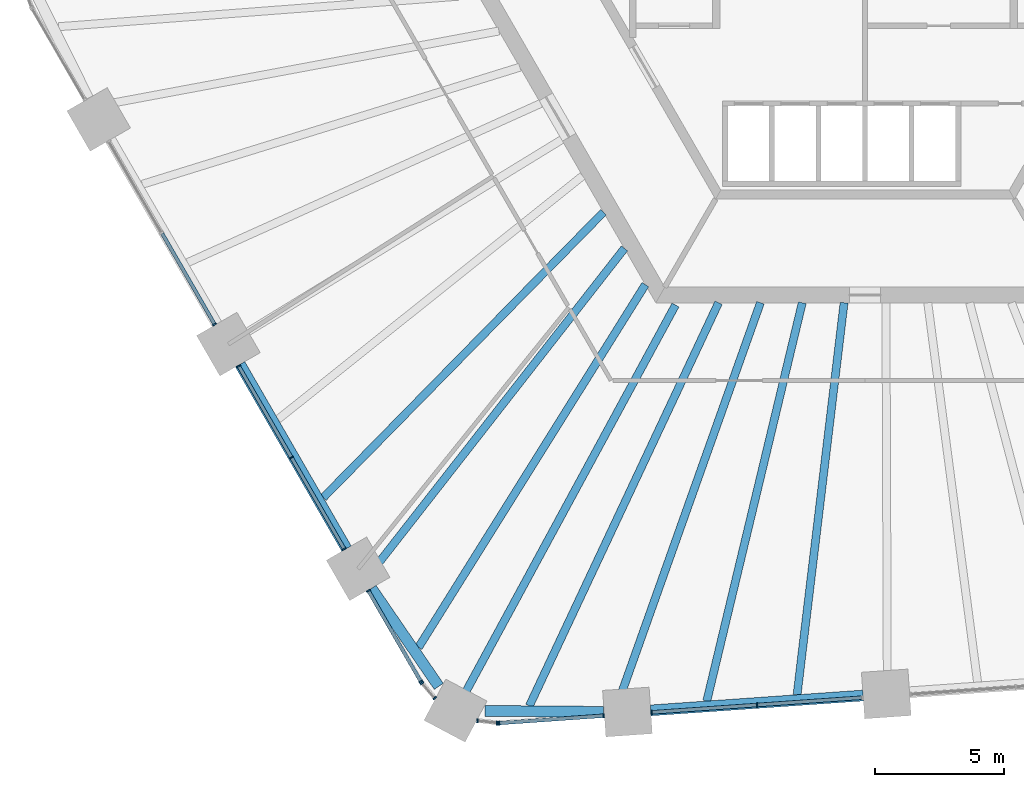
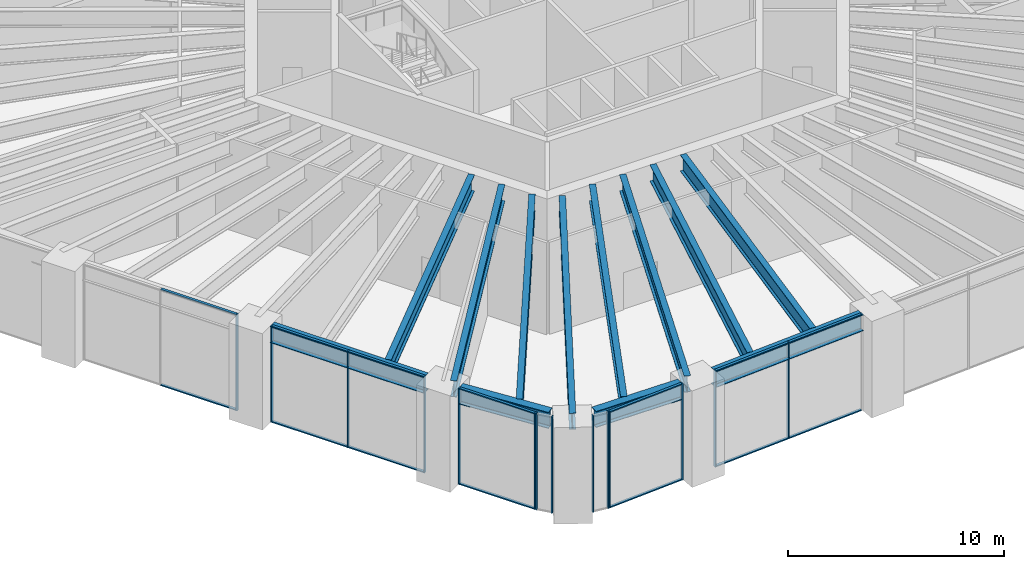
# One storey, part 2 of 25: 28 members, 12 beams, 7 elements without a shape of their own.
"""IFC4 building model written with IfcOpenShell, lengths in metres."""

from ifc_helpers import new_model, si_unit, direction, frame, origin, origin_2d, place, context, subcontext, project, spatial, rectangle, i_section, extrude, material, material_profile, profile_set, type_object, element, aggregate, save


model = new_model("IFC4")

# Units and contexts
model_context = context("Model", 3, precision=1e-05, world=origin(), true_north=direction((0.0, 1.0)))
body_context = subcontext(model_context, "Body", "Model", "MODEL_VIEW")
ifc_project = project(units=[si_unit("LENGTHUNIT", "METRE"), si_unit("AREAUNIT", "SQUARE_METRE"), si_unit("VOLUMEUNIT", "CUBIC_METRE"), si_unit("PLANEANGLEUNIT", "RADIAN"), si_unit("MASSUNIT", "GRAM", prefix="KILO")], contexts=[model_context])

# Site, building, storey
site_placement = place(None, origin())
site = spatial("IfcSite", under=ifc_project, at=site_placement, CompositionType="ELEMENT")
building_placement = place(site_placement, origin())
building = spatial("IfcBuilding", under=site, at=building_placement, Name="Tarnside Tower", CompositionType="ELEMENT")
storey_placement = place(building_placement, frame((0.0, 0.0, 26.0)))
storey = spatial("IfcBuildingStorey", under=building, at=storey_placement, Name="L04", CompositionType="ELEMENT", Elevation=26.0)

# Beams
ifc_material_1 = material(Name="Steel S355", Category="steel")
ifc_material_profile_1 = material_profile(ifc_material_1, i_section(OverallWidth=0.3076171875, OverallDepth=0.926513671875, WebThickness=0.01953125, FlangeThickness=0.031982421875, FilletRadius=0.01904296875, at=origin_2d()), Name="UB 914x305x289")
ifc_profile_set_1 = profile_set([ifc_material_profile_1], Name="Steel S355")
beam_type_1 = type_object("IfcBeamType", Name="Floor beam UB 914x305x289", PredefinedType="BEAM", material=ifc_profile_set_1)
beam_1_placement = place(storey_placement, frame((-20.9296875, -21.528076171875, 4.73681640625), z_axis=(0.700544155211, 0.713609057258, 0.0), x_axis=(-0.713609057258, 0.700544155211, 0.0)))
element("IfcBeam", 1, at=beam_1_placement, inside=storey, type_object=beam_type_1, Name="Floor beam F3.07", PredefinedType="BEAM", context=body_context, shape_type="SweptSolid", body=[
    extrude(i_section(OverallWidth=0.3076171875, OverallDepth=0.926513671875, WebThickness=0.01953125, FlangeThickness=0.031982421875, FilletRadius=0.01904296875, at=origin_2d()), origin(), (0.0, 0.0, 1.0), 15.453857421875),
])
beam_2_placement = place(storey_placement, frame((-19.159912109375, -24.52587890625, 4.73681640625), z_axis=(0.615661783207, 0.788010513063, 0.0), x_axis=(-0.788010513063, 0.615661783207, 0.0)))
element("IfcBeam", 2, at=beam_2_placement, inside=storey, type_object=beam_type_1, Name="Floor beam F3.08", PredefinedType="BEAM", context=body_context, shape_type="SweptSolid", body=[
    extrude(i_section(OverallWidth=0.3076171875, OverallDepth=0.926513671875, WebThickness=0.01953125, FlangeThickness=0.031982421875, FilletRadius=0.01904296875, at=origin_2d()), origin(), (0.0, 0.0, 1.0), 16.022705078125),
])
beam_3_placement = place(storey_placement, frame((-17.248779296875, -27.31103515625, 4.73681640625), z_axis=(0.530210075877, 0.847866307526, 0.0), x_axis=(-0.847866307526, 0.530210075877, 0.0)))
element("IfcBeam", 3, at=beam_3_placement, inside=storey, type_object=beam_type_1, Name="Floor beam F3.09", PredefinedType="BEAM", context=body_context, shape_type="SweptSolid", body=[
    extrude(i_section(OverallWidth=0.3076171875, OverallDepth=0.926513671875, WebThickness=0.01953125, FlangeThickness=0.031982421875, FilletRadius=0.01904296875, at=origin_2d()), origin(), (0.0, 0.0, 1.0), 16.52490234375),
])
beam_4_placement = place(storey_placement, frame((-15.70458984375, -29.550537109375, 4.73681640625), z_axis=(0.476578695918, 0.879131814119, 0.0), x_axis=(-0.879131814119, 0.476578695918, 0.0)))
element("IfcBeam", 4, at=beam_4_placement, inside=storey, type_object=beam_type_1, Name="Floor beam C3", PredefinedType="BEAM", context=body_context, shape_type="SweptSolid", body=[
    extrude(i_section(OverallWidth=0.3076171875, OverallDepth=0.926513671875, WebThickness=0.01953125, FlangeThickness=0.031982421875, FilletRadius=0.01904296875, at=origin_2d()), origin(), (0.0, 0.0, 1.0), 17.588623046875),
])
beam_5_placement = place(storey_placement, frame((-12.9677734375, -29.572265625, 4.73681640625), z_axis=(0.424925412272, 0.905228365665, 0.0), x_axis=(-0.905228365665, 0.424925412272, 0.0)))
element("IfcBeam", 5, at=beam_5_placement, inside=storey, type_object=beam_type_1, Name="Floor beam F4.01", PredefinedType="BEAM", context=body_context, shape_type="SweptSolid", body=[
    extrude(i_section(OverallWidth=0.3076171875, OverallDepth=0.926513671875, WebThickness=0.01953125, FlangeThickness=0.031982421875, FilletRadius=0.01904296875, at=origin_2d()), origin(), (0.0, 0.0, 1.0), 17.20263671875),
])
beam_6_placement = place(storey_placement, frame((-9.59130859375, -29.599365234375, 4.73681640625), z_axis=(0.335190018245, 0.942150546181, 0.0), x_axis=(-0.942150546181, 0.335190018245, 0.0)))
element("IfcBeam", 6, at=beam_6_placement, inside=storey, type_object=beam_type_1, Name="Floor beam F4.02", PredefinedType="BEAM", context=body_context, shape_type="SweptSolid", body=[
    extrude(i_section(OverallWidth=0.3076171875, OverallDepth=0.926513671875, WebThickness=0.01953125, FlangeThickness=0.031982421875, FilletRadius=0.01904296875, at=origin_2d()), origin(), (0.0, 0.0, 1.0), 16.55712890625),
])
beam_7_placement = place(storey_placement, frame((-6.113037109375, -29.3876953125, 4.73681640625), z_axis=(0.233085254069, 0.972456304589, 0.0), x_axis=(-0.972456304589, 0.233085254069, 0.0)))
element("IfcBeam", 7, at=beam_7_placement, inside=storey, type_object=beam_type_1, Name="Floor beam F4.03", PredefinedType="BEAM", context=body_context, shape_type="SweptSolid", body=[
    extrude(i_section(OverallWidth=0.3076171875, OverallDepth=0.926513671875, WebThickness=0.01953125, FlangeThickness=0.031982421875, FilletRadius=0.01904296875, at=origin_2d()), origin(), (0.0, 0.0, 1.0), 15.823486328125),
])
beam_8_placement = place(storey_placement, frame((-2.62451171875, -29.143798828125, 4.73681640625), z_axis=(0.119074527858, 0.992885319065, 0.0), x_axis=(-0.992885319065, 0.119074527858, 0.0)))
element("IfcBeam", 8, at=beam_8_placement, inside=storey, type_object=beam_type_1, Name="Floor beam F4.04", PredefinedType="BEAM", context=body_context, shape_type="SweptSolid", body=[
    extrude(i_section(OverallWidth=0.3076171875, OverallDepth=0.926513671875, WebThickness=0.01953125, FlangeThickness=0.031982421875, FilletRadius=0.01904296875, at=origin_2d()), origin(), (0.0, 0.0, 1.0), 15.252197265625),
])
ifc_material_2 = material(Name="Steel S460", Category="steel")
ifc_material_profile_2 = material_profile(ifc_material_2, i_section(OverallWidth=0.42041015625, OverallDepth=0.9208984375, WebThickness=0.021484375, FlangeThickness=0.03662109375, FilletRadius=0.024169921875, at=origin_2d()), Name="UB 914x419x388")
ifc_profile_set_2 = profile_set([ifc_material_profile_2], Name="Steel S460")
beam_type_2 = type_object("IfcBeamType", Name="Perimeter girder UB 914x419x388", PredefinedType="BEAM", material=ifc_profile_set_2)
beam_9_placement = place(storey_placement, frame((-24.145751953125, -16.378173828125, 4.739501953125), z_axis=(0.499989712218, -0.866031343357, 0.0), x_axis=(0.866031343357, 0.499989712218, 0.0)))
element("IfcBeam", 9, at=beam_9_placement, inside=storey, type_object=beam_type_2, Name="Perimeter girder M10", PredefinedType="BEAM", context=body_context, shape_type="SweptSolid", body=[
    extrude(i_section(OverallWidth=0.42041015625, OverallDepth=0.9208984375, WebThickness=0.021484375, FlangeThickness=0.03662109375, FilletRadius=0.024169921875, at=origin_2d()), origin(), (0.0, 0.0, 1.0), 8.223876953125),
])
for number, where, z_axis, x_axis, name in (
    (10, (-19.0634765625, -25.0380859375, 4.739501953125), (0.56579211703, -0.824547924809, 0.0), (0.824547924809, 0.56579211703, 0.0), "Perimeter girder M11"),
    (11, (-14.68359375, -29.768798828125, 4.739501953125), (0.999968120657, -0.007984839931, 0.0), (0.007984839931, 0.999968120657, 0.0), "Perimeter girder M12"),
):
    element("IfcBeam", number, at=place(storey_placement, frame(where, z_axis=z_axis, x_axis=x_axis)), inside=storey, type_object=beam_type_2, Name=name, PredefinedType="BEAM", context=body_context, shape_type="SweptSolid", body=[
        extrude(i_section(OverallWidth=0.42041015625, OverallDepth=0.9208984375, WebThickness=0.021484375, FlangeThickness=0.03662109375, FilletRadius=0.024169921875, at=origin_2d()), origin(), (0.0, 0.0, 1.0), 4.58642578125),
    ])
beam_10_placement = place(storey_placement, frame((-8.27978515625, -29.75, 4.739501953125), z_axis=(0.99756353515, 0.069763839764, 0.0), x_axis=(-0.069763839764, 0.99756353515, 0.0)))
element("IfcBeam", 12, at=beam_10_placement, inside=storey, type_object=beam_type_2, Name="Perimeter girder M13", PredefinedType="BEAM", context=body_context, shape_type="SweptSolid", body=[
    extrude(i_section(OverallWidth=0.42041015625, OverallDepth=0.9208984375, WebThickness=0.021484375, FlangeThickness=0.03662109375, FilletRadius=0.024169921875, at=origin_2d()), origin(), (0.0, 0.0, 1.0), 8.223876953125),
])

# Curtain wall, member
ifc_material_3 = material(Name="Retail shopfront glazing wall", Category="glass")
curtain_wall_type = type_object("IfcCurtainWallType", Name="Retail shopfront glazing wall", PredefinedType="NOTDEFINED", material=ifc_material_3)
curtain_wall_1_placement = place(storey_placement, origin())
curtain_wall_1 = element("IfcCurtainWall", 13, at=curtain_wall_1_placement, inside=storey, type_object=curtain_wall_type, Name="Retail shopfront glazing L04 08.0", PredefinedType="NOTDEFINED")
ifc_material_4 = material(Name="Aluminium alloy 6063", Category="aluminium")
ifc_material_profile_3 = material_profile(ifc_material_4, rectangle(XDim=0.159912109375, YDim=0.06005859375, at=origin_2d()), Name="Retail shopfront glazing mullion 60 x 160")
ifc_profile_set_3 = profile_set([ifc_material_profile_3], Name="Aluminium alloy 6063")
member_type_1 = type_object("IfcMemberType", Name="Retail shopfront glazing mullion 60 x 160", PredefinedType="MULLION", material=ifc_profile_set_3)
member_1_placement = place(storey_placement, frame((-25.130126953125, -14.83349609375, -0.25), z_axis=(0.0, 0.0, 1.0), x_axis=(0.866025403819, 0.49999999994, 0.0)))
member_1 = element("IfcMember", 14, at=member_1_placement, type_object=member_type_1, Name="CW2 mullion 3", PredefinedType="MULLION", context=body_context, shape_type="SweptSolid", body=[
    extrude(rectangle(XDim=0.159912109375, YDim=0.06005859375, at=origin_2d()), origin(), (0.0, 0.0, 1.0), 5.449951171875),
])

# Curtain wall, members
curtain_wall_2_placement = place(storey_placement, origin())
curtain_wall_2 = element("IfcCurtainWall", 15, at=curtain_wall_2_placement, inside=storey, type_object=curtain_wall_type, Name="Retail shopfront glazing L04 09.0", PredefinedType="NOTDEFINED")
member_2_placement = place(storey_placement, frame((-24.2001953125, -16.4443359375, -0.25), z_axis=(0.0, 0.0, 1.0), x_axis=(0.866025403741, 0.500000000076, 0.0)))
member_2 = element("IfcMember", 16, at=member_2_placement, type_object=member_type_1, Name="CW2 mullion 1", PredefinedType="MULLION", context=body_context, shape_type="SweptSolid", body=[
    extrude(rectangle(XDim=0.159912109375, YDim=0.06005859375, at=origin_2d()), origin(), (0.0, 0.0, 1.0), 5.449951171875),
])
member_3_placement = place(storey_placement, frame((-22.1591796875, -19.979248046875, -0.25), z_axis=(0.0, 0.0, 1.0), x_axis=(0.866025403741, 0.500000000076, 0.0)))
member_3 = element("IfcMember", 17, at=member_3_placement, type_object=member_type_1, Name="CW2 mullion 2", PredefinedType="MULLION", context=body_context, shape_type="SweptSolid", body=[
    extrude(rectangle(XDim=0.159912109375, YDim=0.06005859375, at=origin_2d()), origin(), (0.0, 0.0, 1.0), 5.449951171875),
])
member_4_placement = place(storey_placement, frame((-20.1181640625, -23.51416015625, -0.25), z_axis=(0.0, 0.0, 1.0), x_axis=(0.866025403741, 0.500000000076, 0.0)))
member_4 = element("IfcMember", 18, at=member_4_placement, type_object=member_type_1, Name="CW2 mullion 3", PredefinedType="MULLION", context=body_context, shape_type="SweptSolid", body=[
    extrude(rectangle(XDim=0.159912109375, YDim=0.06005859375, at=origin_2d()), origin(), (0.0, 0.0, 1.0), 5.449951171875),
])

curtain_wall_3_placement = place(storey_placement, origin())
curtain_wall_3 = element("IfcCurtainWall", 19, at=curtain_wall_3_placement, inside=storey, type_object=curtain_wall_type, Name="Retail shopfront glazing L04 10.0", PredefinedType="NOTDEFINED")
member_5_placement = place(storey_placement, frame((-19.188232421875, -25.125, -0.25), z_axis=(0.0, 0.0, 1.0), x_axis=(0.866025403872, 0.499999999849, 0.0)))
member_5 = element("IfcMember", 20, at=member_5_placement, type_object=member_type_1, Name="CW2 mullion 1", PredefinedType="MULLION", context=body_context, shape_type="SweptSolid", body=[
    extrude(rectangle(XDim=0.159912109375, YDim=0.06005859375, at=origin_2d()), origin(), (0.0, 0.0, 1.0), 5.449951171875),
])
member_6_placement = place(storey_placement, frame((-17.162353515625, -28.634033203125, -0.25), z_axis=(0.0, 0.0, 1.0), x_axis=(0.866025403872, 0.499999999849, 0.0)))
member_6 = element("IfcMember", 21, at=member_6_placement, type_object=member_type_1, Name="CW2 mullion 2", PredefinedType="MULLION", context=body_context, shape_type="SweptSolid", body=[
    extrude(rectangle(XDim=0.159912109375, YDim=0.06005859375, at=origin_2d()), origin(), (0.0, 0.0, 1.0), 5.449951171875),
])

curtain_wall_4_placement = place(storey_placement, origin())
curtain_wall_4 = element("IfcCurtainWall", 22, at=curtain_wall_4_placement, inside=storey, type_object=curtain_wall_type, Name="Retail shopfront glazing L04 10.1", PredefinedType="NOTDEFINED")
member_7_placement = place(storey_placement, frame((-17.119140625, -28.69482421875, -0.25), z_axis=(0.0, 0.0, 1.0), x_axis=(0.758513583345, 0.651657228826, 0.0)))
member_7 = element("IfcMember", 23, at=member_7_placement, type_object=member_type_1, Name="CW2 mullion 1", PredefinedType="MULLION", context=body_context, shape_type="SweptSolid", body=[
    extrude(rectangle(XDim=0.159912109375, YDim=0.06005859375, at=origin_2d()), origin(), (0.0, 0.0, 1.0), 5.449951171875),
])
member_8_placement = place(storey_placement, frame((-16.623046875, -29.2724609375, -0.25), z_axis=(0.0, 0.0, 1.0), x_axis=(0.758513583345, 0.651657228826, 0.0)))
member_8 = element("IfcMember", 24, at=member_8_placement, type_object=member_type_1, Name="CW2 mullion 2", PredefinedType="MULLION", context=body_context, shape_type="SweptSolid", body=[
    extrude(rectangle(XDim=0.159912109375, YDim=0.06005859375, at=origin_2d()), origin(), (0.0, 0.0, 1.0), 5.449951171875),
])
aggregate(curtain_wall_4, [member_7, member_8])

curtain_wall_5_placement = place(storey_placement, origin())
curtain_wall_5 = element("IfcCurtainWall", 25, at=curtain_wall_5_placement, inside=storey, type_object=curtain_wall_type, Name="Retail shopfront glazing L04 11.0", PredefinedType="NOTDEFINED")
member_9_placement = place(storey_placement, frame((-14.972412109375, -30.14990234375, -0.25), z_axis=(0.0, 0.0, 1.0), x_axis=(0.116092914044, 0.993238357751, 0.0)))
member_9 = element("IfcMember", 26, at=member_9_placement, type_object=member_type_1, Name="CW2 mullion 1", PredefinedType="MULLION", context=body_context, shape_type="SweptSolid", body=[
    extrude(rectangle(XDim=0.159912109375, YDim=0.06005859375, at=origin_2d()), origin(), (0.0, 0.0, 1.0), 5.449951171875),
])
member_10_placement = place(storey_placement, frame((-14.21630859375, -30.23828125, -0.25), z_axis=(0.0, 0.0, 1.0), x_axis=(0.116092914044, 0.993238357751, 0.0)))
member_10 = element("IfcMember", 27, at=member_10_placement, type_object=member_type_1, Name="CW2 mullion 2", PredefinedType="MULLION", context=body_context, shape_type="SweptSolid", body=[
    extrude(rectangle(XDim=0.159912109375, YDim=0.06005859375, at=origin_2d()), origin(), (0.0, 0.0, 1.0), 5.449951171875),
])
aggregate(curtain_wall_5, [member_9, member_10])

curtain_wall_6_placement = place(storey_placement, origin())
curtain_wall_6 = element("IfcCurtainWall", 28, at=curtain_wall_6_placement, inside=storey, type_object=curtain_wall_type, Name="Retail shopfront glazing L04 11.1", PredefinedType="NOTDEFINED")
member_11_placement = place(storey_placement, frame((-14.1416015625, -30.240234375, -0.25), z_axis=(0.0, 0.0, 1.0), x_axis=(-0.069756473918, 0.997564050248, 0.0)))
member_11 = element("IfcMember", 29, at=member_11_placement, type_object=member_type_1, Name="CW2 mullion 1", PredefinedType="MULLION", context=body_context, shape_type="SweptSolid", body=[
    extrude(rectangle(XDim=0.159912109375, YDim=0.06005859375, at=origin_2d()), origin(), (0.0, 0.0, 1.0), 5.449951171875),
])
member_12_placement = place(storey_placement, frame((-10.099609375, -29.95751953125, -0.25), z_axis=(0.0, 0.0, 1.0), x_axis=(-0.069756473918, 0.997564050248, 0.0)))
member_12 = element("IfcMember", 30, at=member_12_placement, type_object=member_type_1, Name="CW2 mullion 2", PredefinedType="MULLION", context=body_context, shape_type="SweptSolid", body=[
    extrude(rectangle(XDim=0.159912109375, YDim=0.06005859375, at=origin_2d()), origin(), (0.0, 0.0, 1.0), 5.449951171875),
])

curtain_wall_7_placement = place(storey_placement, origin())
curtain_wall_7 = element("IfcCurtainWall", 31, at=curtain_wall_7_placement, inside=storey, type_object=curtain_wall_type, Name="Retail shopfront glazing L04 12.0", PredefinedType="NOTDEFINED")
member_13_placement = place(storey_placement, frame((-8.244140625, -29.82763671875, -0.25), z_axis=(0.0, 0.0, 1.0), x_axis=(-0.069756473779, 0.997564050257, 0.0)))
member_13 = element("IfcMember", 32, at=member_13_placement, type_object=member_type_1, Name="CW2 mullion 1", PredefinedType="MULLION", context=body_context, shape_type="SweptSolid", body=[
    extrude(rectangle(XDim=0.159912109375, YDim=0.06005859375, at=origin_2d()), origin(), (0.0, 0.0, 1.0), 5.449951171875),
])
member_14_placement = place(storey_placement, frame((-4.17236328125, -29.54296875, -0.25), z_axis=(0.0, 0.0, 1.0), x_axis=(-0.069756473779, 0.997564050257, 0.0)))
member_14 = element("IfcMember", 33, at=member_14_placement, type_object=member_type_1, Name="CW2 mullion 2", PredefinedType="MULLION", context=body_context, shape_type="SweptSolid", body=[
    extrude(rectangle(XDim=0.159912109375, YDim=0.06005859375, at=origin_2d()), origin(), (0.0, 0.0, 1.0), 5.449951171875),
])

# Member
ifc_material_profile_4 = material_profile(ifc_material_4, rectangle(XDim=0.139892578125, YDim=0.06005859375, at=origin_2d()), Name="Retail shopfront glazing transom 60 x 140")
ifc_profile_set_4 = profile_set([ifc_material_profile_4], Name="Aluminium alloy 6063")
member_type_2 = type_object("IfcMemberType", Name="Retail shopfront glazing transom 60 x 140", PredefinedType="USERDEFINED", material=ifc_profile_set_4)
member_15_placement = place(storey_placement, frame((-27.156005859375, -11.324462890625, -0.219970703125), z_axis=(0.500023722852, -0.866011706956, 0.0), x_axis=(0.866011706956, 0.500023722852, 0.0)))
member_15 = element("IfcMember", 34, at=member_15_placement, type_object=member_type_2, Name="CW2 transom 2.1", ObjectType="TRANSOM", PredefinedType="USERDEFINED", context=body_context, shape_type="SweptSolid", body=[
    extrude(rectangle(XDim=0.139892578125, YDim=0.06005859375, at=origin_2d()), origin(), (0.0, 0.0, 1.0), 4.021728515625),
])

member_16_placement = place(storey_placement, frame((-27.156005859375, -11.324462890625, 5.169921875), z_axis=(0.500023722852, -0.866011706956, 0.0), x_axis=(0.866011706956, 0.500023722852, 0.0)))
member_16 = element("IfcMember", 35, at=member_16_placement, type_object=member_type_2, Name="CW2 transom 2.2", ObjectType="TRANSOM", PredefinedType="USERDEFINED", context=body_context, shape_type="SweptSolid", body=[
    extrude(rectangle(XDim=0.139892578125, YDim=0.06005859375, at=origin_2d()), origin(), (0.0, 0.0, 1.0), 4.021728515625),
])

aggregate(curtain_wall_1, [member_1, member_15, member_16])

member_17_placement = place(storey_placement, frame((-24.18505859375, -16.47021484375, -0.219970703125), z_axis=(0.500023722852, -0.866011706956, 0.0), x_axis=(0.866011706956, 0.500023722852, 0.0)))
member_17 = element("IfcMember", 36, at=member_17_placement, type_object=member_type_2, Name="CW2 transom 1.1", ObjectType="TRANSOM", PredefinedType="USERDEFINED", context=body_context, shape_type="SweptSolid", body=[
    extrude(rectangle(XDim=0.139892578125, YDim=0.06005859375, at=origin_2d()), origin(), (0.0, 0.0, 1.0), 4.021728515625),
])

member_18_placement = place(storey_placement, frame((-24.18505859375, -16.47021484375, 5.169921875), z_axis=(0.500023722852, -0.866011706956, 0.0), x_axis=(0.866011706956, 0.500023722852, 0.0)))
member_18 = element("IfcMember", 37, at=member_18_placement, type_object=member_type_2, Name="CW2 transom 1.2", ObjectType="TRANSOM", PredefinedType="USERDEFINED", context=body_context, shape_type="SweptSolid", body=[
    extrude(rectangle(XDim=0.139892578125, YDim=0.06005859375, at=origin_2d()), origin(), (0.0, 0.0, 1.0), 4.021728515625),
])

member_19_placement = place(storey_placement, frame((-22.14404296875, -20.005126953125, -0.219970703125), z_axis=(0.499951909034, -0.866053167337, 0.0), x_axis=(0.866053167337, 0.499951909034, 0.0)))
member_19 = element("IfcMember", 38, at=member_19_placement, type_object=member_type_2, Name="CW2 transom 2.1", ObjectType="TRANSOM", PredefinedType="USERDEFINED", context=body_context, shape_type="SweptSolid", body=[
    extrude(rectangle(XDim=0.139892578125, YDim=0.06005859375, at=origin_2d()), origin(), (0.0, 0.0, 1.0), 4.02197265625),
])

member_20_placement = place(storey_placement, frame((-22.14404296875, -20.005126953125, 5.169921875), z_axis=(0.499951909034, -0.866053167337, 0.0), x_axis=(0.866053167337, 0.499951909034, 0.0)))
member_20 = element("IfcMember", 39, at=member_20_placement, type_object=member_type_2, Name="CW2 transom 2.2", ObjectType="TRANSOM", PredefinedType="USERDEFINED", context=body_context, shape_type="SweptSolid", body=[
    extrude(rectangle(XDim=0.139892578125, YDim=0.06005859375, at=origin_2d()), origin(), (0.0, 0.0, 1.0), 4.02197265625),
])

aggregate(curtain_wall_2, [member_2, member_3, member_4, member_17, member_18, member_19, member_20])

member_21_placement = place(storey_placement, frame((-19.17333984375, -25.15087890625, -0.219970703125), z_axis=(0.500033033937, -0.866006330792, 0.0), x_axis=(0.866006330792, 0.500033033937, 0.0)))
member_21 = element("IfcMember", 40, at=member_21_placement, type_object=member_type_2, Name="CW2 transom 1.1", ObjectType="TRANSOM", PredefinedType="USERDEFINED", context=body_context, shape_type="SweptSolid", body=[
    extrude(rectangle(XDim=0.139892578125, YDim=0.06005859375, at=origin_2d()), origin(), (0.0, 0.0, 1.0), 3.991943359375),
])

member_22_placement = place(storey_placement, frame((-19.17333984375, -25.15087890625, 5.169921875), z_axis=(0.500033033937, -0.866006330792, 0.0), x_axis=(0.866006330792, 0.500033033937, 0.0)))
member_22 = element("IfcMember", 41, at=member_22_placement, type_object=member_type_2, Name="CW2 transom 1.2", ObjectType="TRANSOM", PredefinedType="USERDEFINED", context=body_context, shape_type="SweptSolid", body=[
    extrude(rectangle(XDim=0.139892578125, YDim=0.06005859375, at=origin_2d()), origin(), (0.0, 0.0, 1.0), 3.991943359375),
])

aggregate(curtain_wall_3, [member_5, member_6, member_21, member_22])

member_23_placement = place(storey_placement, frame((-14.111572265625, -30.238037109375, -0.219970703125), z_axis=(0.997561948586, 0.069786522583, 0.0), x_axis=(-0.069786522583, 0.997561948586, 0.0)))
member_23 = element("IfcMember", 42, at=member_23_placement, type_object=member_type_2, Name="CW2 transom 1.1", ObjectType="TRANSOM", PredefinedType="USERDEFINED", context=body_context, shape_type="SweptSolid", body=[
    extrude(rectangle(XDim=0.139892578125, YDim=0.06005859375, at=origin_2d()), origin(), (0.0, 0.0, 1.0), 3.99169921875),
])

member_24_placement = place(storey_placement, frame((-14.111572265625, -30.238037109375, 5.169921875), z_axis=(0.997561948586, 0.069786522583, 0.0), x_axis=(-0.069786522583, 0.997561948586, 0.0)))
member_24 = element("IfcMember", 43, at=member_24_placement, type_object=member_type_2, Name="CW2 transom 1.2", ObjectType="TRANSOM", PredefinedType="USERDEFINED", context=body_context, shape_type="SweptSolid", body=[
    extrude(rectangle(XDim=0.139892578125, YDim=0.06005859375, at=origin_2d()), origin(), (0.0, 0.0, 1.0), 3.99169921875),
])

aggregate(curtain_wall_6, [member_11, member_12, member_23, member_24])

member_25_placement = place(storey_placement, frame((-8.21435546875, -29.82568359375, -0.219970703125), z_axis=(0.99756479881, 0.069745768153, 0.0), x_axis=(-0.069745768153, 0.99756479881, 0.0)))
member_25 = element("IfcMember", 44, at=member_25_placement, type_object=member_type_2, Name="CW2 transom 1.1", ObjectType="TRANSOM", PredefinedType="USERDEFINED", context=body_context, shape_type="SweptSolid", body=[
    extrude(rectangle(XDim=0.139892578125, YDim=0.06005859375, at=origin_2d()), origin(), (0.0, 0.0, 1.0), 4.02197265625),
])

member_26_placement = place(storey_placement, frame((-8.21435546875, -29.82568359375, 5.169921875), z_axis=(0.99756479881, 0.069745768153, 0.0), x_axis=(-0.069745768153, 0.99756479881, 0.0)))
member_26 = element("IfcMember", 45, at=member_26_placement, type_object=member_type_2, Name="CW2 transom 1.2", ObjectType="TRANSOM", PredefinedType="USERDEFINED", context=body_context, shape_type="SweptSolid", body=[
    extrude(rectangle(XDim=0.139892578125, YDim=0.06005859375, at=origin_2d()), origin(), (0.0, 0.0, 1.0), 4.02197265625),
])

member_27_placement = place(storey_placement, frame((-4.142333984375, -29.541015625, -0.219970703125), z_axis=(0.997560277835, 0.069810400992, 0.0), x_axis=(-0.069810400992, 0.997560277835, 0.0)))
member_27 = element("IfcMember", 46, at=member_27_placement, type_object=member_type_2, Name="CW2 transom 2.1", ObjectType="TRANSOM", PredefinedType="USERDEFINED", context=body_context, shape_type="SweptSolid", body=[
    extrude(rectangle(XDim=0.139892578125, YDim=0.06005859375, at=origin_2d()), origin(), (0.0, 0.0, 1.0), 4.021728515625),
])

member_28_placement = place(storey_placement, frame((-4.142333984375, -29.541015625, 5.169921875), z_axis=(0.997560277835, 0.069810400992, 0.0), x_axis=(-0.069810400992, 0.997560277835, 0.0)))
member_28 = element("IfcMember", 47, at=member_28_placement, type_object=member_type_2, Name="CW2 transom 2.2", ObjectType="TRANSOM", PredefinedType="USERDEFINED", context=body_context, shape_type="SweptSolid", body=[
    extrude(rectangle(XDim=0.139892578125, YDim=0.06005859375, at=origin_2d()), origin(), (0.0, 0.0, 1.0), 4.021728515625),
])

aggregate(curtain_wall_7, [member_13, member_14, member_25, member_26, member_27, member_28])

save(model, "model.ifc")
